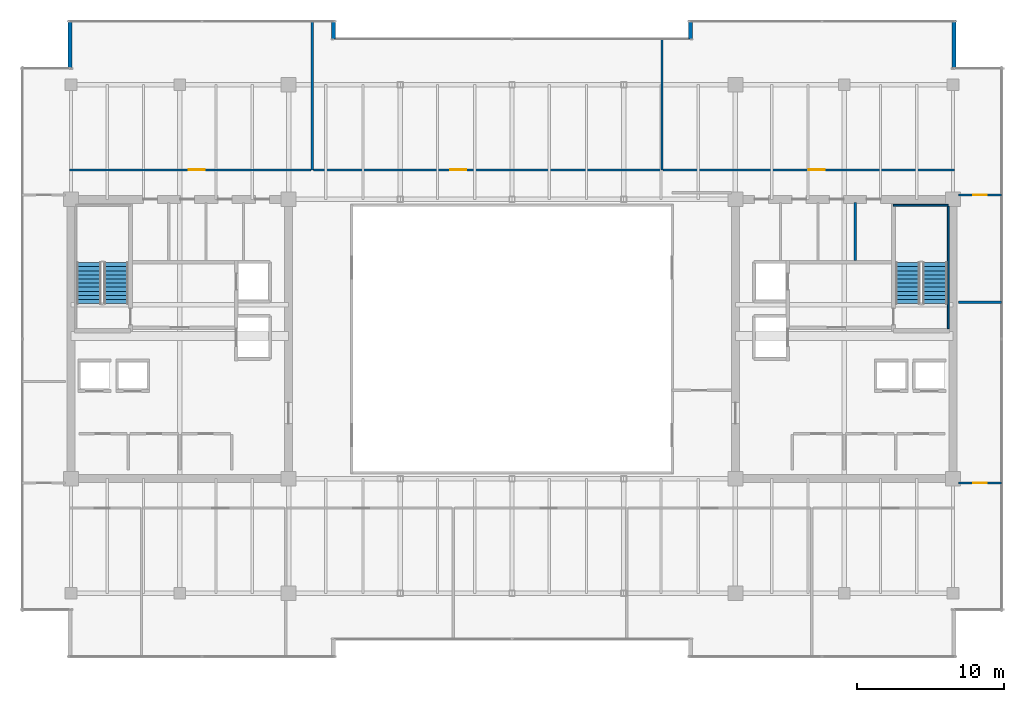
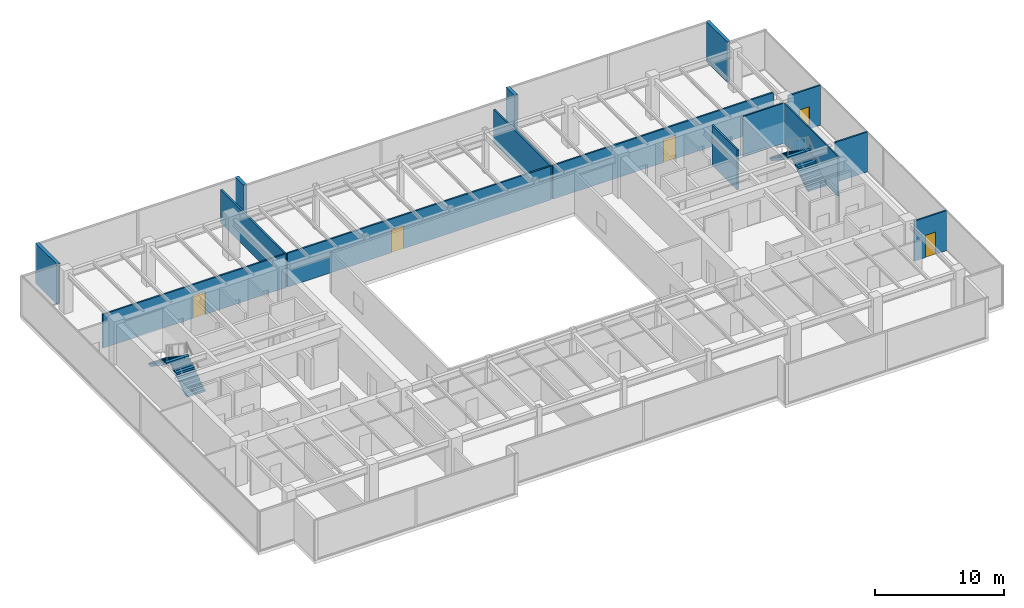
# One storey, part 31 of 33: 15 walls, 5 doors, 4 stair flights, 5 openings, 2 elements without a shape of their own.
"""IFC4 building model written with IfcOpenShell, lengths in metres."""

from ifc_helpers import new_model, si_unit, direction, frame, frame_2d, origin, place, context, subcontext, project, spatial, polyline, rectangle, outline, extrude, source, transform, mapped, material, layer, layer_set, type_object, type_shapes, element, fill, aggregate, save


model = new_model("IFC4")

# Units and contexts
model_context = context("Model", 3, precision=1e-05, world=origin(), true_north=direction((0.0, 1.0)))
body_context = subcontext(model_context, "Body", "Model", "MODEL_VIEW")
ifc_project = project(units=[si_unit("LENGTHUNIT", "METRE"), si_unit("AREAUNIT", "SQUARE_METRE"), si_unit("VOLUMEUNIT", "CUBIC_METRE"), si_unit("PLANEANGLEUNIT", "RADIAN"), si_unit("MASSUNIT", "GRAM", prefix="KILO")], contexts=[model_context])

# Site, building, storey
site_placement = place(None, origin())
site = spatial("IfcSite", under=ifc_project, at=site_placement, CompositionType="ELEMENT")
building_placement = place(site_placement, origin())
building = spatial("IfcBuilding", under=site, at=building_placement, Name="Haelvirn Gate Laboratories", CompositionType="ELEMENT")
storey_placement = place(building_placement, frame((0.0, 0.0, 209.60009765625)))
storey = spatial("IfcBuildingStorey", under=building, at=storey_placement, Name="L50", CompositionType="ELEMENT", Elevation=209.60009765625)

# Walls
ifc_material_1 = material(Name="Thermally-broken bronze aluminium rainscreen & mineral wool", Category="aluminium")
ifc_layer_1 = layer(ifc_material_1, 0.280029296875, Name="EW-TERR-280")
ifc_layer_set_1 = layer_set([ifc_layer_1], Name="Thermally-broken bronze aluminium rainscreen & mineral wool")
wall_type_1 = type_object("IfcWallType", Name="EW-TERR-280", PredefinedType="STANDARD", material=ifc_layer_set_1)
wall_1_placement = place(storey_placement, frame((67.4599609375, 42.7119140625, 0.0), z_axis=(0.0, 0.0, 1.0), x_axis=(0.0, 1.0, 0.0)))
element("IfcWall", 1, at=wall_1_placement, inside=storey, type_object=wall_type_1, Name="L50 Atrium Recess Bronze Return Wall 09", PredefinedType="STANDARD", context=body_context, shape_type="SweptSolid", body=[
    extrude(rectangle(XDim=3.2880859375, YDim=0.280029296875, at=frame_2d((1.64404296875, 0.0))), origin(), (0.0, 0.0, 1.0), 3.7998046875),
])
for number, where, z_axis, x_axis, name in (
    (2, (49.5400390625, 46.0, 0.0), (0.0, 0.0, 1.0), (0.0, -1.0, 0.0), "L50 Atrium Recess Bronze Return Wall 11"),
    (3, (25.260009765625, 44.70703125, 0.0), (0.0, 0.0, 1.0), (0.0, 1.0, 0.0), "L50 Atrium Recess Bronze Return Wall 13"),
):
    element("IfcWall", number, at=place(storey_placement, frame(where, z_axis=z_axis, x_axis=x_axis)), inside=storey, type_object=wall_type_1, Name=name, PredefinedType="STANDARD", context=body_context, shape_type="SweptSolid", body=[
        extrude(rectangle(XDim=1.29296875, YDim=0.280029296875, at=frame_2d((0.646484375, 0.0))), origin(), (0.0, 0.0, 1.0), 3.7998046875),
    ])
wall_2_placement = place(storey_placement, frame((7.340087890625, 46.0, 0.0), z_axis=(0.0, 0.0, 1.0), x_axis=(0.0, -1.0, 0.0)))
element("IfcWall", 4, at=wall_2_placement, inside=storey, type_object=wall_type_1, Name="L50 Atrium Recess Bronze Return Wall 15", PredefinedType="STANDARD", context=body_context, shape_type="SweptSolid", body=[
    extrude(rectangle(XDim=3.2880859375, YDim=0.280029296875, at=frame_2d((1.64404296875, 0.0))), origin(), (0.0, 0.0, 1.0), 3.7998046875),
])
ifc_material_2 = material(Name="Double-layer acoustic gypsum laboratory partition", Category="gypsum")
ifc_layer_2 = layer(ifc_material_2, 0.159912109375, Name="IW-ACOUST-160")
ifc_layer_set_2 = layer_set([ifc_layer_2], Name="Double-layer acoustic gypsum laboratory partition")
wall_type_2 = type_object("IfcWallType", Name="IW-ACOUST-160", PredefinedType="PARTITIONING", material=ifc_layer_set_2)
wall_3_placement = place(storey_placement, frame((23.800048828125, 35.81005859375, 0.0), z_axis=(0.0, 0.0, 1.0), x_axis=(0.0, 1.0, 0.0)))
element("IfcWall", 5, at=wall_3_placement, inside=storey, type_object=wall_type_2, Name="L50 Interior Wall IW-L50-NDIV-01", PredefinedType="PARTITIONING", context=body_context, shape_type="SweptSolid", body=[
    extrude(rectangle(XDim=10.079833984375, YDim=0.159912109375, at=frame_2d((5.0400390625, 0.0))), origin(), (0.0, 0.0, 1.0), 3.135009765625),
])
wall_4_placement = place(storey_placement, frame((47.60009765625, 35.81005859375, 0.0), z_axis=(0.0, 0.0, 1.0), x_axis=(0.0, 1.0, 0.0)))
element("IfcWall", 6, at=wall_4_placement, inside=storey, type_object=wall_type_2, Name="L50 Interior Wall IW-L50-NDIV-02", PredefinedType="PARTITIONING", context=body_context, shape_type="SweptSolid", body=[
    extrude(rectangle(XDim=8.8798828125, YDim=0.159912109375, at=frame_2d((4.43994140625, 0.0))), origin(), (0.0, 0.0, 1.0), 3.135009765625),
])

# Wall, opening, door
ifc_material_3 = material(Name="Acoustic mineral-wool gypsum board partition", Category="gypsum")
ifc_layer_3 = layer(ifc_material_3, 0.139892578125, Name="IW-PART-140")
ifc_layer_set_3 = layer_set([ifc_layer_3], Name="Acoustic mineral-wool gypsum board partition")
wall_type_3 = type_object("IfcWallType", Name="IW-PART-140", PredefinedType="PARTITIONING", material=ifc_layer_set_3)
wall_5_placement = place(storey_placement, frame((7.31005859375, 35.81005859375, 0.0), z_axis=(0.0, 0.0, 1.0), x_axis=(1.0, 0.0, 0.0)))
wall_5 = element("IfcWall", 7, at=wall_5_placement, inside=storey, type_object=wall_type_3, Name="L50 Interior Wall IW-L50-NCORR-01", PredefinedType="PARTITIONING", context=body_context, shape_type="SweptSolid", body=[
    extrude(rectangle(XDim=16.409912109375, YDim=0.139892578125, at=frame_2d((8.205078125, 0.0))), origin(), (0.0, 0.0, 1.0), 3.197021484375),
])
opening_1_placement = place(wall_5_placement, frame((8.09326171875, 0.0, 0.0)))
opening_1 = element("IfcOpeningElement", 8, at=opening_1_placement, cuts=wall_5, Name="Opening D1", PredefinedType="OPENING", context=body_context, shape_type="SweptSolid", body=[
    extrude(rectangle(XDim=1.10009765625, YDim=2.179931640625, at=frame_2d((0.550048828125, 1.08984375))), frame((0.0, 0.080078125, 0.0), z_axis=(0.0, -1.0, 0.0), x_axis=(1.0, 0.0, 0.0)), (0.0, 0.0, 1.0), 0.159912109375),
])
ifc_material_4 = material(Name="Vision-panel acoustic solid-core timber lab door", Category="wood")
door_type_1 = type_object("IfcDoorType", Name="DR-LAB-1100", OperationType="NOTDEFINED", PredefinedType="DOOR", material=ifc_material_4)
shared_shape_1 = source(origin(), body_context, "Body", "SweptSolid", [
    extrude(rectangle(XDim=1.10009765625, YDim=2.179931640625, at=frame_2d((0.550048828125, 1.08984375))), frame((0.0, 0.02490234375, 0.0), z_axis=(0.0, -1.0, 0.0), x_axis=(1.0, 0.0, 0.0)), (0.0, 0.0, 1.0), 0.050048828125),
])
type_shapes(door_type_1, [shared_shape_1])
door_1_placement = place(opening_1_placement, origin())
door_1 = element("IfcDoor", 9, at=door_1_placement, inside=storey, type_object=door_type_1, Name="L50 Floor Hydration & Tea Servery Door N1", OperationType="SINGLE_SWING_RIGHT", OverallHeight=2.179931640625, OverallWidth=1.10009765625, PredefinedType="DOOR", context=body_context, shape_type="MappedRepresentation", body=[
    mapped(shared_shape_1, transform((0.0, 0.0, 0.0), scale=1.0)),
])
fill(opening_1, door_1)

wall_6_placement = place(storey_placement, frame((23.8798828125, 35.81005859375, 0.0), z_axis=(0.0, 0.0, 1.0), x_axis=(1.0, 0.0, 0.0)))
wall_6 = element("IfcWall", 10, at=wall_6_placement, inside=storey, type_object=wall_type_3, Name="L50 Interior Wall IW-L50-NCORR-02", PredefinedType="PARTITIONING", context=body_context, shape_type="SweptSolid", body=[
    extrude(rectangle(XDim=23.64013671875, YDim=0.139892578125, at=frame_2d((11.820068359375, 0.0))), origin(), (0.0, 0.0, 1.0), 3.197021484375),
])
opening_2_placement = place(wall_6_placement, frame((9.304443359375, 0.0, 0.0)))
opening_2 = element("IfcOpeningElement", 11, at=opening_2_placement, cuts=wall_6, Name="Opening D1", PredefinedType="OPENING", context=body_context, shape_type="SweptSolid", body=[
    extrude(rectangle(XDim=1.10009765625, YDim=2.179931640625, at=frame_2d((0.550048828125, 1.08984375))), frame((0.0, 0.080078125, 0.0), z_axis=(0.0, -1.0, 0.0), x_axis=(1.0, 0.0, 0.0)), (0.0, 0.0, 1.0), 0.159912109375),
])
door_2_placement = place(opening_2_placement, origin())
door_2 = element("IfcDoor", 12, at=door_2_placement, inside=storey, type_object=door_type_1, Name="L50 Researcher Break Pantry Door N2", OperationType="SINGLE_SWING_LEFT", OverallHeight=2.179931640625, OverallWidth=1.10009765625, PredefinedType="DOOR", context=body_context, shape_type="MappedRepresentation", body=[
    mapped(shared_shape_1, transform((0.0, 0.0, 0.0), scale=1.0)),
])
fill(opening_2, door_2)

wall_7_placement = place(storey_placement, frame((47.679931640625, 35.81005859375, 0.0), z_axis=(0.0, 0.0, 1.0), x_axis=(1.0, 0.0, 0.0)))
wall_7 = element("IfcWall", 13, at=wall_7_placement, inside=storey, type_object=wall_type_3, Name="L50 Interior Wall IW-L50-NCORR-03", PredefinedType="PARTITIONING", context=body_context, shape_type="SweptSolid", body=[
    extrude(rectangle(XDim=19.81005859375, YDim=0.139892578125, at=frame_2d((9.905029296875, 0.0))), origin(), (0.0, 0.0, 1.0), 3.197021484375),
])
opening_3_placement = place(wall_7_placement, frame((9.895263671875, 0.0, 0.0)))
opening_3 = element("IfcOpeningElement", 14, at=opening_3_placement, cuts=wall_7, Name="Opening D1", PredefinedType="OPENING", context=body_context, shape_type="SweptSolid", body=[
    extrude(rectangle(XDim=1.10009765625, YDim=2.179931640625, at=frame_2d((0.550048828125, 1.08984375))), frame((0.0, 0.080078125, 0.0), z_axis=(0.0, -1.0, 0.0), x_axis=(1.0, 0.0, 0.0)), (0.0, 0.0, 1.0), 0.159912109375),
])
door_3_placement = place(opening_3_placement, origin())
door_3 = element("IfcDoor", 15, at=door_3_placement, inside=storey, type_object=door_type_1, Name="L50 Laser-Safety Consult Room Door N3", OperationType="SINGLE_SWING_RIGHT", OverallHeight=2.179931640625, OverallWidth=1.10009765625, PredefinedType="DOOR", context=body_context, shape_type="MappedRepresentation", body=[
    mapped(shared_shape_1, transform((0.0, 0.0, 0.0), scale=1.0)),
])
fill(opening_3, door_3)

# Wall
wall_8_placement = place(storey_placement, frame((67.780029296875, 26.800048828125, 0.0), z_axis=(0.0, 0.0, 1.0), x_axis=(1.0, 0.0, 0.0)))
element("IfcWall", 16, at=wall_8_placement, inside=storey, type_object=wall_type_3, Name="L50 Interior Wall IW-L50-EZ3-MID", PredefinedType="PARTITIONING", context=body_context, shape_type="SweptSolid", body=[
    extrude(rectangle(XDim=2.909912109375, YDim=0.139892578125, at=frame_2d((1.455078125, 0.0))), origin(), (0.0, 0.0, 1.0), 3.7998046875),
])

# Wall, opening, door
wall_9_placement = place(storey_placement, frame((67.780029296875, 14.5048828125, 0.0), z_axis=(0.0, 0.0, 1.0), x_axis=(1.0, 0.0, 0.0)))
wall_9 = element("IfcWall", 17, at=wall_9_placement, inside=storey, type_object=wall_type_3, Name="L50 Interior Wall IW-L50-EZ3-ENT-S", PredefinedType="PARTITIONING", context=body_context, shape_type="SweptSolid", body=[
    extrude(rectangle(XDim=2.909912109375, YDim=0.139892578125, at=frame_2d((1.455078125, 0.0))), origin(), (0.0, 0.0, 1.0), 3.7998046875),
])
opening_4_placement = place(wall_9_placement, frame((1.0048828125, 0.0, 0.0)))
opening_4 = element("IfcOpeningElement", 18, at=opening_4_placement, cuts=wall_9, Name="Opening D4", PredefinedType="OPENING", context=body_context, shape_type="SweptSolid", body=[
    extrude(rectangle(XDim=0.89990234375, YDim=2.10009765625, at=frame_2d((0.449951171875, 1.050048828125))), frame((0.0, 0.080078125, 0.0), z_axis=(0.0, -1.0, 0.0), x_axis=(1.0, 0.0, 0.0)), (0.0, 0.0, 1.0), 0.159912109375),
])
ifc_material_5 = material(Name="Glazed aluminium-framed write-up door", Category="aluminium")
door_type_2 = type_object("IfcDoorType", Name="DR-OFF-900", OperationType="NOTDEFINED", PredefinedType="DOOR", material=ifc_material_5)
shared_shape_2 = source(origin(), body_context, "Body", "SweptSolid", [
    extrude(rectangle(XDim=0.89990234375, YDim=2.10009765625, at=frame_2d((0.449951171875, 1.050048828125))), frame((0.0, 0.02490234375, 0.0), z_axis=(0.0, -1.0, 0.0), x_axis=(1.0, 0.0, 0.0)), (0.0, 0.0, 1.0), 0.050048828125),
])
type_shapes(door_type_2, [shared_shape_2])
door_4_placement = place(opening_4_placement, origin())
door_4 = element("IfcDoor", 19, at=door_4_placement, inside=storey, type_object=door_type_2, Name="L50 Translational Data Office Door E-S", OperationType="SINGLE_SWING_LEFT", OverallHeight=2.10009765625, OverallWidth=0.89990234375, PredefinedType="DOOR", context=body_context, shape_type="MappedRepresentation", body=[
    mapped(shared_shape_2, transform((0.0, 0.0, 0.0), scale=1.0)),
])
fill(opening_4, door_4)

wall_10_placement = place(storey_placement, frame((67.780029296875, 34.094970703125, 0.0), z_axis=(0.0, 0.0, 1.0), x_axis=(1.0, 0.0, 0.0)))
wall_10 = element("IfcWall", 20, at=wall_10_placement, inside=storey, type_object=wall_type_3, Name="L50 Interior Wall IW-L50-EZ3-ENT-N", PredefinedType="PARTITIONING", context=body_context, shape_type="SweptSolid", body=[
    extrude(rectangle(XDim=2.909912109375, YDim=0.139892578125, at=frame_2d((1.455078125, 0.0))), origin(), (0.0, 0.0, 1.0), 3.7998046875),
])
opening_5_placement = place(wall_10_placement, frame((1.0048828125, 0.0, 0.0)))
opening_5 = element("IfcOpeningElement", 21, at=opening_5_placement, cuts=wall_10, Name="Opening D4", PredefinedType="OPENING", context=body_context, shape_type="SweptSolid", body=[
    extrude(rectangle(XDim=0.89990234375, YDim=2.10009765625, at=frame_2d((0.449951171875, 1.050048828125))), frame((0.0, 0.080078125, 0.0), z_axis=(0.0, -1.0, 0.0), x_axis=(1.0, 0.0, 0.0)), (0.0, 0.0, 1.0), 0.159912109375),
])
door_5_placement = place(opening_5_placement, origin())
door_5 = element("IfcDoor", 22, at=door_5_placement, inside=storey, type_object=door_type_2, Name="L50 Proteomics Mass-Spec Laboratory Door E-N", OperationType="SINGLE_SWING_RIGHT", OverallHeight=2.10009765625, OverallWidth=0.89990234375, PredefinedType="DOOR", context=body_context, shape_type="MappedRepresentation", body=[
    mapped(shared_shape_2, transform((0.0, 0.0, 0.0), scale=1.0)),
])
fill(opening_5, door_5)

# Walls
ifc_material_6 = material(Name="Cement-board restroom plumbing chase wall", Category="gypsum")
ifc_layer_4 = layer(ifc_material_6, 0.155029296875, Name="IW-PLUMB-160")
ifc_layer_set_4 = layer_set([ifc_layer_4], Name="Cement-board restroom plumbing chase wall")
wall_type_4 = type_object("IfcWallType", Name="IW-PLUMB-160", PredefinedType="PLUMBINGWALL", material=ifc_layer_set_4)
wall_11_placement = place(storey_placement, frame((60.760009765625, 29.64990234375, 0.0), z_axis=(0.0, 0.0, 1.0), x_axis=(0.0, 1.0, 0.0)))
element("IfcWall", 23, at=wall_11_placement, inside=storey, type_object=wall_type_4, Name="L50 Interior Wall IW-L50-E-CDIV-1", PredefinedType="PLUMBINGWALL", context=body_context, shape_type="SweptSolid", body=[
    extrude(rectangle(XDim=3.93017578125, YDim=0.155029296875, at=frame_2d((1.965087890625, 0.0))), origin(), (0.0, 0.0, 1.0), 3.7998046875),
])
ifc_material_7 = material(Name="Concrete C50/60", Category="concrete")
ifc_layer_5 = layer(ifc_material_7, 0.1201171875, Name="SW-LINER-120")
ifc_layer_set_5 = layer_set([ifc_layer_5], Name="Concrete C50/60")
wall_type_5 = type_object("IfcWallType", Name="SW-LINER-120", PredefinedType="SOLIDWALL", material=ifc_layer_set_5)
wall_12_placement = place(storey_placement, frame((63.35009765625, 33.39990234375, 0.0), z_axis=(0.0, 0.0, 1.0), x_axis=(1.0, 0.0, 0.0)))
element("IfcWall", 24, at=wall_12_placement, inside=storey, type_object=wall_type_5, Name="L50 E Core Stair Shaft Liner Wall N", PredefinedType="SOLIDWALL", context=body_context, shape_type="SweptSolid", body=[
    extrude(rectangle(XDim=3.719970703125, YDim=0.1201171875, at=frame_2d((1.85986328125, 0.0))), origin(), (0.0, 0.0, 1.0), 3.7998046875),
])
wall_13_placement = place(storey_placement, frame((67.070068359375, 25.0, 0.0), z_axis=(0.0, 0.0, 1.0), x_axis=(0.0, 1.0, 0.0)))
element("IfcWall", 25, at=wall_13_placement, inside=storey, type_object=wall_type_5, Name="L50 E Core Stair Shaft Liner Wall OUT", PredefinedType="SOLIDWALL", context=body_context, shape_type="SweptSolid", body=[
    extrude(rectangle(XDim=8.320068359375, YDim=0.1201171875, at=frame_2d((4.16015625, 0.0))), origin(), (0.0, 0.0, 1.0), 3.7998046875),
])

# Stair, stair flights
ifc_material_8 = material(Name="Concrete C40/50", Category="concrete")
stair_type = type_object("IfcStairType", Name="ST-DOG-1650-R22", PredefinedType="HALF_TURN_STAIR", material=ifc_material_8)
stair_1_placement = place(storey_placement, origin())
stair_1 = element("IfcStair", 26, at=stair_1_placement, inside=storey, type_object=stair_type, Name="L50 Escape Stair ST1", PredefinedType="HALF_TURN_STAIR")
stair_flight_type = type_object("IfcStairFlightType", Name="STF-1650-R11", PredefinedType="STRAIGHT", material=ifc_material_8)
shared_shape_3 = source(origin(), body_context, "Body", "SweptSolid", [
    extrude(outline(polyline([(0.0, 0.0), (0.0, 0.186279296875), (0.280029296875, 0.186279296875), (0.280029296875, 0.372802734375), (0.56005859375, 0.372802734375), (0.56005859375, 0.55908203125), (0.840087890625, 0.55908203125), (0.840087890625, 0.745361328125), (1.1201171875, 0.745361328125), (1.1201171875, 0.931884765625), (1.39990234375, 0.931884765625), (1.39990234375, 1.1181640625), (1.679931640625, 1.1181640625), (1.679931640625, 1.304443359375), (1.9599609375, 1.304443359375), (1.9599609375, 1.490966796875), (2.239990234375, 1.490966796875), (2.239990234375, 1.67724609375), (2.52001953125, 1.67724609375), (2.52001953125, 1.863525390625), (2.800048828125, 1.863525390625), (2.800048828125, 2.050048828125), (2.800048828125, 1.671630859375), (0.28857421875, 0.0), (0.0, 0.0)])), frame((0.0, 0.824951171875, 0.0), z_axis=(0.0, -1.0, 0.0), x_axis=(1.0, 0.0, 0.0)), (0.0, 0.0, 1.0), 1.64990234375),
])
type_shapes(stair_flight_type, [shared_shape_3])
stair_flight_1_placement = place(storey_placement, frame((10.47509765625, 26.699951171875, 0.0), z_axis=(0.0, 0.0, 1.0), x_axis=(0.0, 1.0, 0.0)))
stair_flight_1 = element("IfcStairFlight", 27, at=stair_flight_1_placement, type_object=stair_flight_type, Name="ST1 flight 1", NumberOfRisers=11, NumberOfTreads=10, PredefinedType="STRAIGHT", RiserHeight=0.186363636, TreadLength=0.28, context=body_context, shape_type="MappedRepresentation", body=[
    mapped(shared_shape_3, transform((0.0, 0.0, 0.0), scale=1.0)),
])
stair_flight_2_placement = place(storey_placement, frame((8.625, 29.5, 2.0498046875), z_axis=(0.0, 0.0, 1.0), x_axis=(0.0, -1.0, 0.0)))
stair_flight_2 = element("IfcStairFlight", 28, at=stair_flight_2_placement, type_object=stair_flight_type, Name="ST1 flight 2", NumberOfRisers=11, NumberOfTreads=10, PredefinedType="STRAIGHT", RiserHeight=0.186363636, TreadLength=0.28, context=body_context, shape_type="MappedRepresentation", body=[
    mapped(shared_shape_3, transform((0.0, 0.0, 0.0), scale=1.0)),
])
aggregate(stair_1, [stair_flight_1, stair_flight_2])

stair_2_placement = place(storey_placement, origin())
stair_2 = element("IfcStair", 29, at=stair_2_placement, inside=storey, type_object=stair_type, Name="L50 Escape Stair ST2", PredefinedType="HALF_TURN_STAIR")
stair_flight_3_placement = place(storey_placement, frame((66.175048828125, 26.699951171875, 0.0), z_axis=(0.0, 0.0, 1.0), x_axis=(0.0, 1.0, 0.0)))
stair_flight_3 = element("IfcStairFlight", 30, at=stair_flight_3_placement, type_object=stair_flight_type, Name="ST2 flight 1", NumberOfRisers=11, NumberOfTreads=10, PredefinedType="STRAIGHT", RiserHeight=0.186363636, TreadLength=0.28, context=body_context, shape_type="MappedRepresentation", body=[
    mapped(shared_shape_3, transform((0.0, 0.0, 0.0), scale=1.0)),
])
stair_flight_4_placement = place(storey_placement, frame((64.324951171875, 29.5, 2.0498046875), z_axis=(0.0, 0.0, 1.0), x_axis=(0.0, -1.0, 0.0)))
stair_flight_4 = element("IfcStairFlight", 31, at=stair_flight_4_placement, type_object=stair_flight_type, Name="ST2 flight 2", NumberOfRisers=11, NumberOfTreads=10, PredefinedType="STRAIGHT", RiserHeight=0.186363636, TreadLength=0.28, context=body_context, shape_type="MappedRepresentation", body=[
    mapped(shared_shape_3, transform((0.0, 0.0, 0.0), scale=1.0)),
])
aggregate(stair_2, [stair_flight_3, stair_flight_4])

save(model, "model.ifc")
